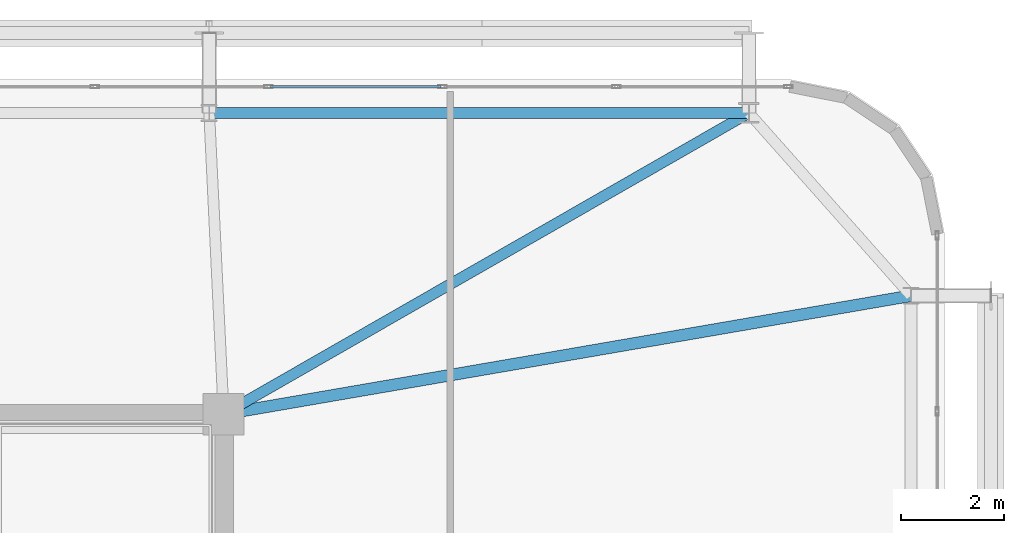
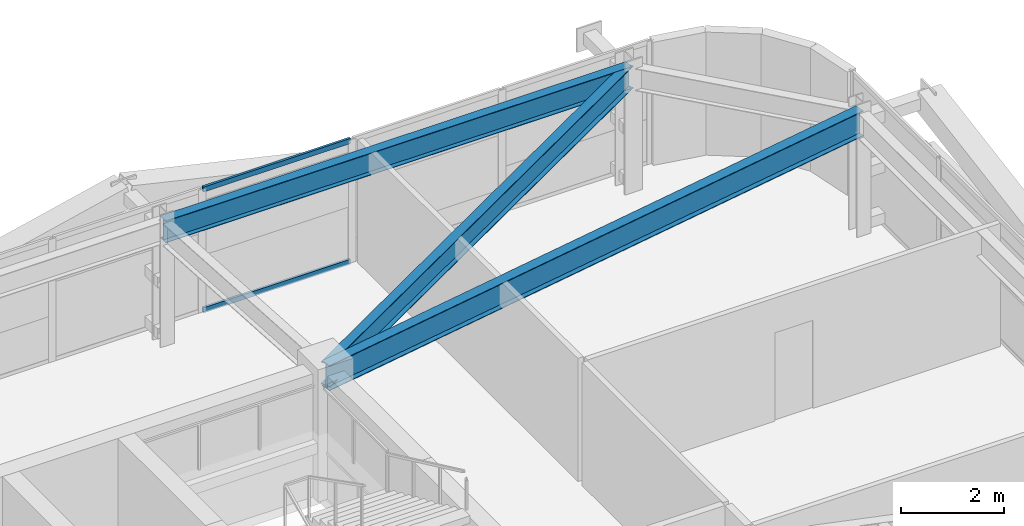
# One storey, part 39 of 59: 3 beams, 2 members, 1 element without a shape of its own.
"""IFC4 building model written with IfcOpenShell, lengths in metres."""

from ifc_helpers import new_model, si_unit, direction, frame, origin, origin_2d, place, context, subcontext, project, spatial, hollow_rectangle, i_section, extrude, source, transform, mapped, material, layer, layer_set, material_profile, profile_set, type_object, element, aggregate, save


model = new_model("IFC4")

# Units and contexts
model_context = context("Model", 3, precision=1e-05, world=origin(), true_north=direction((0.0, 1.0)))
body_context = subcontext(model_context, "Body", "Model", "MODEL_VIEW")
ifc_project = project(units=[si_unit("LENGTHUNIT", "METRE"), si_unit("AREAUNIT", "SQUARE_METRE"), si_unit("VOLUMEUNIT", "CUBIC_METRE"), si_unit("PLANEANGLEUNIT", "RADIAN"), si_unit("MASSUNIT", "GRAM", prefix="KILO")], contexts=[model_context])

# Site, building, storey
site_placement = place(None, origin())
site = spatial("IfcSite", under=ifc_project, at=site_placement, CompositionType="ELEMENT")
building_placement = place(site_placement, origin())
building = spatial("IfcBuilding", under=site, at=building_placement, Name="Taldren Reach Tower", CompositionType="ELEMENT")
storey_placement = place(building_placement, frame((0.0, 0.0, 45.14990234375)))
storey = spatial("IfcBuildingStorey", under=building, at=storey_placement, Name="L13", CompositionType="ELEMENT", Elevation=45.14990234375)

# Beams
ifc_material_1 = material(Name="Steel Gr 350 (350PLUS)", Category="steel")
ifc_material_profile_1 = material_profile(ifc_material_1, i_section(OverallWidth=0.208984375, OverallDepth=0.528076171875, WebThickness=0.009521484375, FlangeThickness=0.01318359375, at=origin_2d()), Name="530UB82.0")
ifc_profile_set_1 = profile_set([ifc_material_profile_1], Name="Steel Gr 350 (350PLUS)")
beam_type_1 = type_object("IfcBeamType", Name="SP-UB530B", PredefinedType="SPANDREL", material=ifc_profile_set_1)
shared_shape_1 = source(origin(), body_context, "Body", "SweptSolid", [
    extrude(i_section(OverallWidth=0.208984375, OverallDepth=0.528076171875, WebThickness=0.009521484375, FlangeThickness=0.01318359375, at=origin_2d()), origin(), (0.0, 0.0, 1.0), 10.47998046875),
])
beam_1_placement = place(storey_placement, frame((61.199951171875, 37.85009765625, 2.666015625), z_axis=(-1.0, 0.0, 0.0), x_axis=(0.0, -1.0, 0.0)))
element("IfcBeam", 1, at=beam_1_placement, inside=storey, type_object=beam_type_1, Name="Perimeter spandrel B1 N6-N5 L13", PredefinedType="SPANDREL", context=body_context, shape_type="MappedRepresentation", body=[
    mapped(shared_shape_1, transform((0.0, 0.0, 0.0), scale=1.0)),
])
ifc_material_profile_2 = material_profile(ifc_material_1, i_section(OverallWidth=0.22802734375, OverallDepth=0.60205078125, WebThickness=0.010498046875, FlangeThickness=0.014892578125, at=origin_2d()), Name="610UB101")
ifc_profile_set_2 = profile_set([ifc_material_profile_2], Name="Steel Gr 350 (350PLUS)")
beam_type_2 = type_object("IfcBeamType", Name="BM-UB610B", PredefinedType="BEAM", material=ifc_profile_set_2)
shared_shape_2 = source(origin(), body_context, "Body", "SweptSolid", [
    extrude(i_section(OverallWidth=0.22802734375, OverallDepth=0.60205078125, WebThickness=0.010498046875, FlangeThickness=0.014892578125, at=origin_2d()), origin(), (0.0, 0.0, 1.0), 13.546875),
])
beam_2_placement = place(storey_placement, frame((51.0, 32.0, 2.629150390625), z_axis=(0.985481022998, 0.169785609847, 0.0), x_axis=(-0.169785609847, 0.985481022998, 0.0)))
element("IfcBeam", 2, at=beam_2_placement, inside=storey, type_object=beam_type_2, Name="Primary floor girder B1-E3 L13", PredefinedType="BEAM", context=body_context, shape_type="MappedRepresentation", body=[
    mapped(shared_shape_2, transform((0.0, 0.0, 0.0), scale=1.0)),
])
ifc_material_profile_3 = material_profile(ifc_material_1, i_section(OverallWidth=0.208984375, OverallDepth=0.532958984375, WebThickness=0.01025390625, FlangeThickness=0.015625, at=origin_2d()), Name="530UB92.4")
ifc_profile_set_3 = profile_set([ifc_material_profile_3], Name="Steel Gr 350 (350PLUS)")
beam_type_3 = type_object("IfcBeamType", Name="BM-UB530A", PredefinedType="BEAM", material=ifc_profile_set_3)
shared_shape_3 = source(origin(), body_context, "Body", "SweptSolid", [
    extrude(i_section(OverallWidth=0.208984375, OverallDepth=0.532958984375, WebThickness=0.01025390625, FlangeThickness=0.015625, at=origin_2d()), origin(), (0.0, 0.0, 1.0), 11.758544921875),
])
beam_3_placement = place(storey_placement, frame((51.0, 32.0, 2.66357421875), z_axis=(0.867452414141, 0.497520159593, 0.0), x_axis=(-0.497520159593, 0.867452414141, 0.0)))
element("IfcBeam", 3, at=beam_3_placement, inside=storey, type_object=beam_type_3, Name="Primary floor girder B1-N6 L13", PredefinedType="BEAM", context=body_context, shape_type="MappedRepresentation", body=[
    mapped(shared_shape_3, transform((0.0, 0.0, 0.0), scale=1.0)),
])

# Curtain wall, members
ifc_material_2 = material(Name="Aluminium and Low-E Glass Unitised System", Category="aluminium")
ifc_layer = layer(ifc_material_2, 0.159912109375)
ifc_layer_set = layer_set([ifc_layer], Name="Aluminium and Low-E Glass Unitised System")
curtain_wall_type = type_object("IfcCurtainWallType", Name="CW-SYS-2", PredefinedType="NOTDEFINED", material=ifc_layer_set)
curtain_wall_placement = place(storey_placement, origin())
curtain_wall = element("IfcCurtainWall", 4, at=curtain_wall_placement, inside=storey, type_object=curtain_wall_type, Name="Unitised curtain wall CW-L13-N", PredefinedType="NOTDEFINED")
ifc_material_3 = material(Name="Anodised Aluminium 6063-T6", Category="aluminium")
ifc_material_profile_4 = material_profile(ifc_material_3, hollow_rectangle(XDim=0.054931640625, YDim=0.1201171875, WallThickness=0.0029296875, at=origin_2d()), Name="ALU-120x55x3RHS")
ifc_profile_set_4 = profile_set([ifc_material_profile_4], Name="Anodised Aluminium 6063-T6")
member_type = type_object("IfcMemberType", Name="CW-TRN-135", PredefinedType="USERDEFINED", material=ifc_profile_set_4)
shared_shape_4 = source(origin(), body_context, "Body", "SweptSolid", [
    extrude(hollow_rectangle(XDim=0.054931640625, YDim=0.1201171875, WallThickness=0.0029296875, at=origin_2d()), origin(), (0.0, 0.0, 1.0), 3.31005859375),
])
member_1_placement = place(storey_placement, frame((55.217529296875, 38.360107421875, 0.027587890625), z_axis=(-1.0, 0.0, 0.0), x_axis=(0.0, -1.0, 0.0)))
member_1 = element("IfcMember", 5, at=member_1_placement, type_object=member_type, Name="CW-2 transom 3.1", ObjectType="TRANSOM", PredefinedType="USERDEFINED", context=body_context, shape_type="MappedRepresentation", body=[
    mapped(shared_shape_4, transform((0.0, 0.0, 0.0), scale=1.0)),
])
member_2_placement = place(storey_placement, frame((55.217529296875, 38.360107421875, 2.902587890625), z_axis=(-1.0, 0.0, 0.0), x_axis=(0.0, -1.0, 0.0)))
member_2 = element("IfcMember", 6, at=member_2_placement, type_object=member_type, Name="CW-2 transom 3.2", ObjectType="TRANSOM", PredefinedType="USERDEFINED", context=body_context, shape_type="MappedRepresentation", body=[
    mapped(shared_shape_4, transform((0.0, 0.0, 0.0), scale=1.0)),
])
aggregate(curtain_wall, [member_1, member_2])

save(model, "model.ifc")
